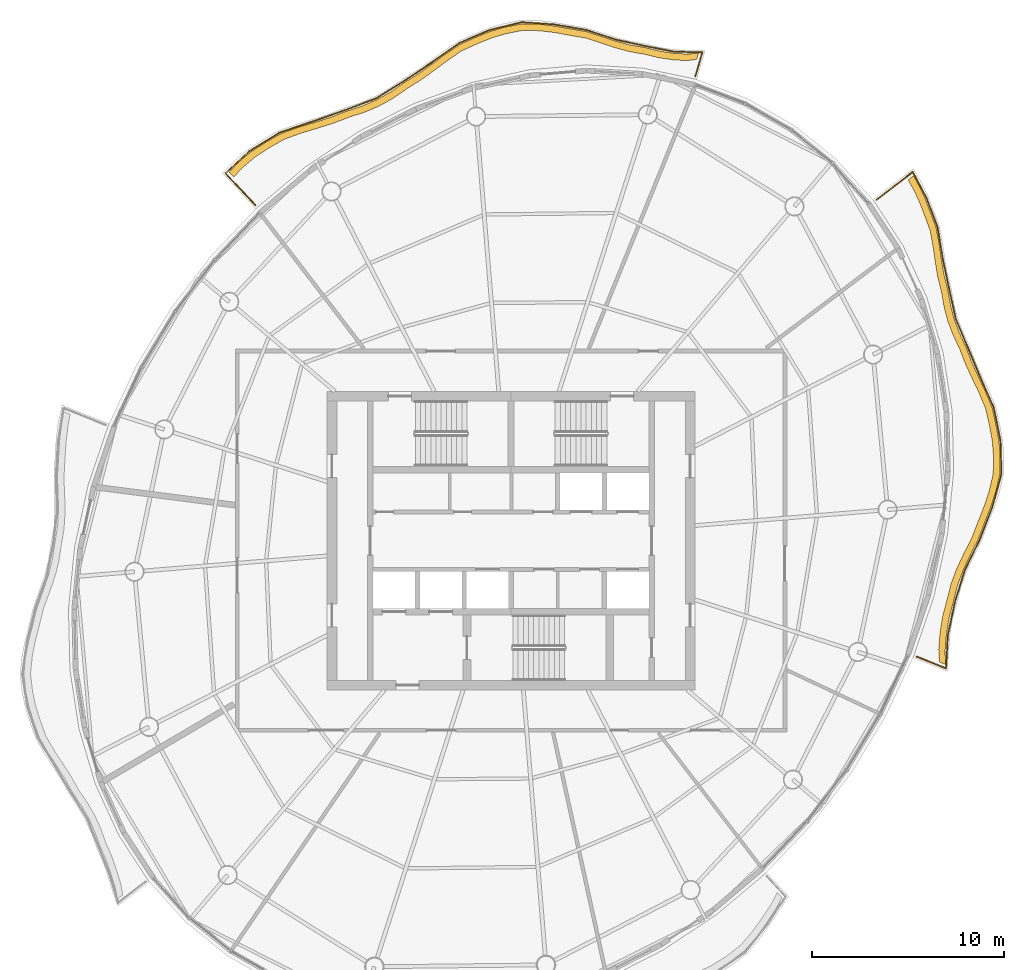
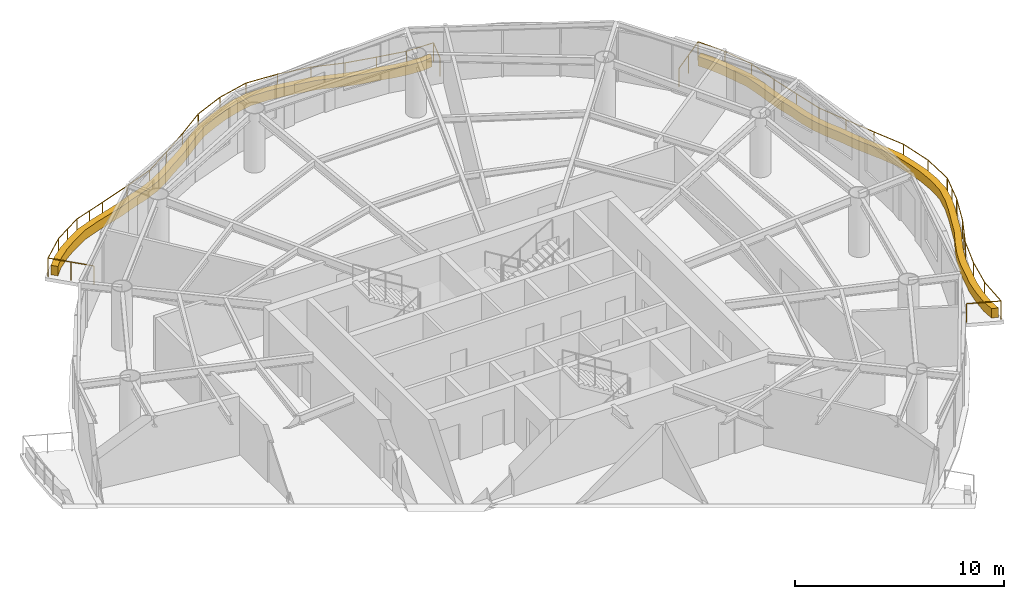
# One storey, part 14 of 14: 2 coverings, 2 railings.
"""IFC4 building model written with IfcOpenShell, lengths in metres."""

import ifcopenshell
import ifcopenshell.guid

model = None  # the IFC model being written
_history = None  # IfcOwnerHistory: only IFC2X3 demands one
_inside = {}  # id of a spatial element -> (the spatial element, [elements in it])
_under = {}  # id of a project, library or spatial element -> (it, [spatial elements below it])
_declared = {}  # id of a project -> (the project, [libraries it declares])
_typed = {}  # id of a type object -> (the type object, [elements of that type])
_made_of = {}  # id of a material, layer set ... -> (it, [elements and type objects made of it])


def new_model(schema):
    """Start an empty IFC model of exactly this schema.

    Asked for "IFC4X3", IfcOpenShell would pick the latest addendum, in which some entities
    have other attributes; the version numbers below select the first issue.
    IFC2X3 requires an IfcOwnerHistory on every rooted entity: one is made here for all.
    """
    global model, _history
    if schema == "IFC4X3":
        model = ifcopenshell.file(schema_version=(4, 3, 0, 0))
    else:
        model = ifcopenshell.file(schema=schema)
    _inside.clear()
    _under.clear()
    _declared.clear()
    _typed.clear()
    _made_of.clear()
    _history = None
    if model.schema == "IFC2X3":
        org = make("IfcOrganization", Name="unknown")
        user = make(
            "IfcPersonAndOrganization",
            ThePerson=make("IfcPerson", FamilyName="unknown"),
            TheOrganization=org,
        )
        app = make(
            "IfcApplication",
            ApplicationDeveloper=org,
            Version="unknown",
            ApplicationFullName="unknown",
            ApplicationIdentifier="unknown",
        )
        _history = make(
            "IfcOwnerHistory",
            OwningUser=user,
            OwningApplication=app,
            ChangeAction="ADDED",
            CreationDate=0,
        )
    return model


def make(cls, **values):
    """One entity of the class cls with the attributes given. An attribute that is None is left unset."""
    return model.create_entity(
        cls, **{name: value for name, value in values.items() if value is not None}
    )


def rooted(cls, **values):
    """An entity with a GlobalId (a new one), such as an element, a storey or a relation."""
    return make(cls, GlobalId=ifcopenshell.guid.new(), OwnerHistory=_history, **values)


def si_unit(unit_type, name, prefix=None):
    """IfcSIUnit, for example si_unit("LENGTHUNIT", "METRE", prefix="MILLI")."""
    return make("IfcSIUnit", UnitType=unit_type, Prefix=prefix, Name=name)


def assignment(units):
    """IfcUnitAssignment: the units of a project."""
    return None if units is None else make("IfcUnitAssignment", Units=units)


def point(xyz):
    """IfcCartesianPoint."""
    return None if xyz is None else make("IfcCartesianPoint", Coordinates=xyz)


def direction(xyz):
    """IfcDirection."""
    return None if xyz is None else make("IfcDirection", DirectionRatios=xyz)


def frame(location, z_axis=None, x_axis=None):
    """IfcAxis2Placement3D, a coordinate frame: its origin and axes. An axis left out is left unset."""
    return make(
        "IfcAxis2Placement3D",
        Location=point(location),
        Axis=direction(z_axis),
        RefDirection=direction(x_axis),
    )


def frame_2d(location, x_axis=None):
    """IfcAxis2Placement2D, a coordinate frame in the plane: its origin and x axis."""
    return make(
        "IfcAxis2Placement2D", Location=point(location), RefDirection=direction(x_axis)
    )


def origin():
    """The frame at (0, 0, 0) with its axes left unset."""
    return frame((0.0, 0.0, 0.0))


def origin_2d():
    """The frame at (0, 0) in the plane with its x axis left unset."""
    return frame_2d((0.0, 0.0))


def place(relative_to, where):
    """IfcLocalPlacement: puts the frame where relative to a parent placement (None: the world)."""
    return make(
        "IfcLocalPlacement", PlacementRelTo=relative_to, RelativePlacement=where
    )


def context(
    kind, dimensions, precision=None, world=None, true_north=None, identifier=None
):
    """IfcGeometricRepresentationContext, for example the 3D "Model" context."""
    return make(
        "IfcGeometricRepresentationContext",
        ContextIdentifier=identifier,
        ContextType=kind,
        CoordinateSpaceDimension=dimensions,
        Precision=precision,
        WorldCoordinateSystem=world,
        TrueNorth=true_north,
    )


def subcontext(parent, identifier, kind, view, scale=None):
    """IfcGeometricRepresentationSubContext, for example "Body" below "Model"."""
    return make(
        "IfcGeometricRepresentationSubContext",
        ContextIdentifier=identifier,
        ContextType=kind,
        ParentContext=parent,
        TargetScale=scale,
        TargetView=view,
    )


def project(units=None, contexts=None):
    """IfcProject with its units and contexts."""
    return rooted(
        "IfcProject",
        Name="project",
        RepresentationContexts=contexts,
        UnitsInContext=assignment(units),
    )


def spatial(cls, under=None, at=None, **own):
    """A site, building, storey or space (cls), placed at a placement, below another one or the project."""
    s = rooted(cls, ObjectPlacement=at, **own)
    if under is not None:
        _under.setdefault(under.id(), (under, []))[1].append(s)
    return s


def polyline(points):
    """IfcPolyline through the points."""
    return make("IfcPolyline", Points=[point(p) for p in points])


def profile(cls, at=None, kind="AREA", **sizes):
    """A parametric profile (cls). Its sizes go by their IFC names, for example OverallWidth=200.0."""
    return make(cls, ProfileType=kind, Position=at, **sizes)


def circle(**sizes):
    """IfcCircleProfileDef."""
    return profile("IfcCircleProfileDef", **sizes)


def outline(outer, holes=None, kind="AREA"):
    """IfcArbitraryClosedProfileDef: a profile drawn as a closed curve; with holes, ...WithVoids."""
    if holes is None:
        return make("IfcArbitraryClosedProfileDef", ProfileType=kind, OuterCurve=outer)
    return make(
        "IfcArbitraryProfileDefWithVoids",
        ProfileType=kind,
        OuterCurve=outer,
        InnerCurves=holes,
    )


def extrude(swept, where, along, depth):
    """IfcExtrudedAreaSolid: the profile swept, set in the frame where, extruded along a direction by depth."""
    return make(
        "IfcExtrudedAreaSolid",
        SweptArea=swept,
        Position=where,
        ExtrudedDirection=direction(along),
        Depth=depth,
    )


def shape(context_of_items, identifier, shape_type, items):
    """IfcShapeRepresentation: the items that make up one representation, for example the "Body"."""
    return make(
        "IfcShapeRepresentation",
        ContextOfItems=context_of_items,
        RepresentationIdentifier=identifier,
        RepresentationType=shape_type,
        Items=items,
    )


def material(Name=None, Category=None):
    """IfcMaterial."""
    return make("IfcMaterial", Name=Name, Category=Category)


def made_of(thing, what):
    """Note that an element or type object is made of a material, layer set ...; save() writes the relation."""
    if what is not None:
        _made_of.setdefault(what.id(), (what, []))[1].append(thing)
    return thing


def type_object(cls, material=None, **own):
    """A type object (cls), such as IfcWallType, which elements share."""
    return made_of(rooted(cls, **own), material)


def element(
    cls,
    number,
    at=None,
    inside=None,
    cuts=None,
    type_object=None,
    material=None,
    context=None,
    identifier="Body",
    shape_type=None,
    held_by="IfcProductDefinitionShape",
    body=None,
    shapes=None,
    **own,
):
    """One element of the class cls, such as IfcWall. Its Tag is "e" and its number.

    at: its placement. inside: the storey or other place that contains it. cuts: it is an
    opening in that element (IfcRelVoidsElement). A single representation is given by context,
    identifier, shape_type and body (its items); several are given by shapes. held_by: the class
    of the entity that holds the representations. save() writes the other relations.
    """
    e = rooted(cls, Tag="e%d" % number, ObjectPlacement=at, **own)
    if body is not None:
        shapes = [shape(context, identifier, shape_type, body)]
    if shapes is not None:
        e.Representation = make(held_by, Representations=shapes)
    if inside is not None:
        _inside.setdefault(inside.id(), (inside, []))[1].append(e)
    if cuts is not None:
        rooted(
            "IfcRelVoidsElement", RelatingBuildingElement=cuts, RelatedOpeningElement=e
        )
    if type_object is not None:
        _typed.setdefault(type_object.id(), (type_object, []))[1].append(e)
    return made_of(e, material)


def aggregate(whole, parts):
    """IfcRelAggregates: a whole, such as a stair, and the parts it consists of."""
    return rooted("IfcRelAggregates", RelatingObject=whole, RelatedObjects=parts)


def save(model, path):
    """Write the relations noted so far, then the file.

    IfcRelAggregates (storeys below a building ...), IfcRelContainedInSpatialStructure (elements
    in a storey), IfcRelDefinesByType, IfcRelAssociatesMaterial and IfcRelDeclares: one each for
    every whole, place, type object, material and project.
    """
    for whole, parts in _under.values():
        aggregate(whole, parts)
    for where, things in _inside.values():
        rooted(
            "IfcRelContainedInSpatialStructure",
            RelatedElements=things,
            RelatingStructure=where,
        )
    for kind, things in _typed.values():
        rooted("IfcRelDefinesByType", RelatedObjects=things, RelatingType=kind)
    for what, things in _made_of.values():
        rooted("IfcRelAssociatesMaterial", RelatedObjects=things, RelatingMaterial=what)
    for by, libraries in _declared.values():
        rooted("IfcRelDeclares", RelatingContext=by, RelatedDefinitions=libraries)
    model.write(path)


model = new_model("IFC4")

# Units and contexts
model_context = context("Model", 3, precision=1e-05, world=origin(), true_north=direction((0.0, 1.0)))
body_context = subcontext(model_context, "Body", "Model", "MODEL_VIEW")
ifc_project = project(units=[si_unit("LENGTHUNIT", "METRE"), si_unit("AREAUNIT", "SQUARE_METRE"), si_unit("VOLUMEUNIT", "CUBIC_METRE"), si_unit("PLANEANGLEUNIT", "RADIAN"), si_unit("MASSUNIT", "GRAM", prefix="KILO")], contexts=[model_context])

# Site, building, storey
site_placement = place(None, origin())
site = spatial("IfcSite", under=ifc_project, at=site_placement, CompositionType="ELEMENT")
building_placement = place(site_placement, origin())
building = spatial("IfcBuilding", under=site, at=building_placement, Name="Vermilion Reach Broadcast Tower", CompositionType="ELEMENT")
storey_placement = place(building_placement, frame((0.0, 0.0, 257.699951171875)))
storey = spatial("IfcBuildingStorey", under=building, at=storey_placement, Name="L63", CompositionType="ELEMENT", Elevation=257.699951171875)

# Coverings
ifc_material_1 = material(Name="Planting soil and greenery")
covering_type = type_object("IfcCoveringType", Name="Balcony PLANTER", PredefinedType="USERDEFINED", material=ifc_material_1)
placement = place(storey_placement, origin())
element("IfcCovering", 1, at=placement, inside=storey, type_object=covering_type, Name="PLANTER L63 group 1", ObjectType="PLANTER", PredefinedType="USERDEFINED", context=body_context, shape_type="SweptSolid", body=[
    extrude(outline(polyline([(3.7900390625, 25.462890625), (3.240966796875, 25.411865234375), (2.512939453125, 25.453857421875), (1.798095703125, 25.558837890625), (1.018798828125, 25.748046875), (0.208740234375, 25.887939453125), (-0.517822265625, 26.083251953125), (-1.241943359375, 26.322021484375), (-2.088623046875, 26.592041015625), (-2.983642578125, 26.742919921875), (-3.753173828125, 26.881591796875), (-4.5185546875, 26.975341796875), (-5.442626953125, 26.9931640625), (-6.364013671875, 26.81005859375), (-7.10791015625, 26.5859375), (-7.8359375, 26.291015625), (-8.681640625, 25.910400390625), (-9.4755859375, 25.376708984375), (-10.14013671875, 24.878173828125), (-10.810791015625, 24.395751953125), (-11.5654296875, 23.93017578125), (-12.30322265625, 23.42333984375), (-13.013427734375, 23.024169921875), (-13.763427734375, 22.703125), (-14.614501953125, 22.4208984375), (-15.478271484375, 22.088623046875), (-16.30419921875, 21.830078125), (-17.134765625, 21.57861328125), (-18.053955078125, 21.23974609375), (-18.905517578125, 20.751220703125), (-19.613037109375, 20.28125), (-20.261474609375, 19.740966796875), (-20.7197265625, 19.239990234375), (-20.47998046875, 18.9853515625), (-20.035888671875, 19.473388671875), (-19.387451171875, 20.013671875), (-18.679931640625, 20.483642578125), (-17.84375, 20.9599609375), (-16.940673828125, 21.287353515625), (-16.110107421875, 21.538818359375), (-15.2841796875, 21.79736328125), (-14.437744140625, 22.118896484375), (-13.6044921875, 22.39111328125), (-12.854736328125, 22.71240234375), (-12.14453125, 23.111328125), (-11.426025390625, 23.609130859375), (-10.691162109375, 24.06689453125), (-10.0205078125, 24.54931640625), (-9.35595703125, 25.0478515625), (-8.583251953125, 25.574462890625), (-7.759521484375, 25.949462890625), (-7.031494140625, 26.244384765625), (-6.28759765625, 26.468505859375), (-5.389404296875, 26.647216796875), (-4.489013671875, 26.62646484375), (-3.723388671875, 26.532958984375), (-2.953857421875, 26.394287109375), (-2.083740234375, 26.2421875), (-1.261962890625, 25.97265625), (-0.537841796875, 25.73388671875), (0.188720703125, 25.53857421875), (0.972900390625, 25.401123046875), (1.7265625, 25.21630859375), (2.44140625, 25.111328125), (3.16943359375, 25.0693359375), (3.692138671875, 25.126953125), (3.7900390625, 25.462890625)])), origin(), (0.0, 0.0, 1.0), 0.550048828125),
])
element("IfcCovering", 2, at=placement, inside=storey, type_object=covering_type, Name="PLANTER L63 group 4", ObjectType="PLANTER", PredefinedType="USERDEFINED", context=body_context, shape_type="SweptSolid", body=[
    extrude(outline(polyline([(16.694580078125, -6.465576171875), (16.6630859375, -5.7802734375), (16.7333984375, -4.91259765625), (16.86572265625, -4.06640625), (17.098388671875, -3.19140625), (17.31787109375, -2.328369140625), (17.60986328125, -1.5419921875), (17.971923828125, -0.770751953125), (18.400146484375, 0.083251953125), (18.735107421875, 0.9638671875), (19.045654296875, 1.751220703125), (19.312255859375, 2.54296875), (19.526611328125, 3.488037109375), (19.541015625, 4.43115234375), (19.476318359375, 5.224853515625), (19.33349609375, 6.0166015625), (19.124755859375, 6.94140625), (18.766845703125, 7.806640625), (18.41650390625, 8.53662109375), (18.07861328125, 9.268798828125), (17.766357421875, 10.0888671875), (17.40966796875, 10.857421875), (17.143798828125, 11.566162109375), (16.94970703125, 12.2958984375), (16.80224609375, 13.126220703125), (16.59814453125, 13.9345703125), (16.469482421875, 14.685791015625), (16.36279296875, 15.447265625), (16.19677734375, 16.34228515625), (15.886474609375, 17.175537109375), (15.623291015625, 17.865234375), (15.31396484375, 18.524658203125), (15.010986328125, 19.056396484375), (14.733642578125, 18.8427734375), (15.02099609375, 18.3330078125), (15.330322265625, 17.673583984375), (15.593505859375, 16.98388671875), (15.890380859375, 16.173095703125), (16.044677734375, 15.30126953125), (16.1513671875, 14.5400390625), (16.280029296875, 13.78857421875), (16.474609375, 13.00341796875), (16.614013671875, 12.196533203125), (16.80810546875, 11.466796875), (17.07421875, 10.75830078125), (17.4248046875, 10.012451171875), (17.732666015625, 9.215576171875), (18.070556640625, 8.483642578125), (18.421142578125, 7.75341796875), (18.776123046875, 6.91064453125), (18.983642578125, 6.008056640625), (19.126220703125, 5.21630859375), (19.191162109375, 4.422607421875), (19.1767578125, 3.5009765625), (18.964111328125, 2.5771484375), (18.697265625, 1.785400390625), (18.38671875, 0.998046875), (18.054443359375, 0.137939453125), (17.6298828125, -0.696044921875), (17.26806640625, -1.46728515625), (16.97607421875, -2.253662109375), (16.760986328125, -3.097412109375), (16.5341796875, -3.95361328125), (16.40185546875, -4.800048828125), (16.331787109375, -5.667724609375), (16.369873046875, -6.334716796875), (16.694580078125, -6.465576171875)])), origin(), (0.0, 0.0, 1.0), 0.550048828125),
])

# Railings
ifc_material_2 = material(Name="Stainless steel 316 balustrade", Category="steel")
railing_type = type_object("IfcRailingType", Name="Balcony guard 1100", PredefinedType="BALUSTRADE", material=ifc_material_2)
railing_1_placement = place(storey_placement, frame((3.625244140625, 24.256103515625, 0.0)))
element("IfcRailing", 3, at=railing_1_placement, inside=storey, type_object=railing_type, Name="Balcony guard L63 group 1", PredefinedType="BALUSTRADE", context=body_context, shape_type="SweptSolid", body=[
    extrude(circle(Radius=0.02490234375, at=origin_2d()), frame((0.0, 0.0, 1.0751953125), z_axis=(0.279732889371, 0.960077866948, 0.0), x_axis=(-0.960077866948, 0.279732889371, 0.0)), (0.0, 0.0, 1.0), 1.298583984375),
    extrude(circle(Radius=0.02490234375, at=origin_2d()), frame((0.36328125, 1.246826171875, 1.0751953125), z_axis=(-0.999798518713, 0.020072916554, 0.0), x_axis=(-0.020072916554, -0.999798518713, 0.0)), (0.0, 0.0, 1.0), 1.45947265625),
    extrude(circle(Radius=0.02490234375, at=origin_2d()), frame((-1.095947265625, 1.276123046875, 1.0751953125), z_axis=(-0.981184042676, 0.193074789648, 0.0), x_axis=(-0.193074789648, -0.981184042676, 0.0)), (0.0, 0.0, 1.0), 1.52880859375),
    extrude(circle(Radius=0.02490234375, at=origin_2d()), frame((-2.595947265625, 1.5712890625, 1.0751953125), z_axis=(-0.977134476436, 0.212622235338, 0.0), x_axis=(-0.212622235338, -0.977134476436, 0.0)), (0.0, 0.0, 1.0), 1.578857421875),
    extrude(circle(Radius=0.02490234375, at=origin_2d()), frame((-4.138671875, 1.906982421875, 1.0751953125), z_axis=(-0.951604369891, 0.307325760722, 0.0), x_axis=(-0.307325760722, -0.951604369891, 0.0)), (0.0, 0.0, 1.0), 1.65625),
    extrude(circle(Radius=0.02490234375, at=origin_2d()), frame((-5.71484375, 2.416015625, 1.0751953125), z_axis=(-0.985326758089, 0.170678586221, 0.0), x_axis=(-0.170678586221, -0.985326758089, 0.0)), (0.0, 0.0, 1.0), 1.695068359375),
    extrude(circle(Radius=0.02490234375, at=origin_2d()), frame((-7.385009765625, 2.705322265625, 1.0751953125), z_axis=(-0.997868931625, 0.065250251326, 0.0), x_axis=(-0.065250251326, -0.997868931625, 0.0)), (0.0, 0.0, 1.0), 1.69873046875),
    extrude(circle(Radius=0.02490234375, at=origin_2d()), frame((-9.080078125, 2.816162109375, 1.0751953125), z_axis=(-0.971423014106, -0.237354855997, 0.0), x_axis=(0.237354855997, -0.971423014106, 0.0)), (0.0, 0.0, 1.0), 1.7197265625),
    extrude(circle(Radius=0.02490234375, at=origin_2d()), frame((-10.750732421875, 2.407958984375, 1.0751953125), z_axis=(-0.919100910705, -0.394022227726, 0.0), x_axis=(0.394022227726, -0.919100910705, 0.0)), (0.0, 0.0, 1.0), 1.717529296875),
    extrude(circle(Radius=0.02490234375, at=origin_2d()), frame((-12.329345703125, 1.731201171875, 1.0751953125), z_axis=(-0.81671478388, -0.577041559848, 0.0), x_axis=(0.577041559848, -0.81671478388, 0.0)), (0.0, 0.0, 1.0), 1.791748046875),
    extrude(circle(Radius=0.02490234375, at=origin_2d()), frame((-13.792724609375, 0.697265625, 1.0751953125), z_axis=(-0.832946247255, -0.553353909522, 0.0), x_axis=(0.553353909522, -0.832946247255, 0.0)), (0.0, 0.0, 1.0), 1.716796875),
    extrude(circle(Radius=0.02490234375, at=origin_2d()), frame((-15.22265625, -0.252685546875, 1.0751953125), z_axis=(-0.847942246071, -0.530088622145, 0.0), x_axis=(0.530088622145, -0.847942246071, 0.0)), (0.0, 0.0, 1.0), 1.712890625),
    extrude(circle(Radius=0.02490234375, at=origin_2d()), frame((-16.675048828125, -1.16064453125, 1.0751953125), z_axis=(-0.935654923006, -0.352916229514, 0.0), x_axis=(0.352916229514, -0.935654923006, 0.0)), (0.0, 0.0, 1.0), 1.715576171875),
    extrude(circle(Radius=0.02490234375, at=origin_2d()), frame((-18.2802734375, -1.76611328125, 1.0751953125), z_axis=(-0.943771361435, -0.330598876789, 0.0), x_axis=(0.330598876789, -0.943771361435, 0.0)), (0.0, 0.0, 1.0), 1.79443359375),
    extrude(circle(Radius=0.02490234375, at=origin_2d()), frame((-19.973876953125, -2.359375, 1.0751953125), z_axis=(-0.947275733284, -0.320419545488, 0.0), x_axis=(0.320419545488, -0.947275733284, 0.0)), (0.0, 0.0, 1.0), 1.850830078125),
    extrude(circle(Radius=0.02490234375, at=origin_2d()), frame((-21.72705078125, -2.952392578125, 1.0751953125), z_axis=(-0.851758799113, -0.523934106671, 0.0), x_axis=(0.523934106671, -0.851758799113, 0.0)), (0.0, 0.0, 1.0), 1.8349609375),
    extrude(circle(Radius=0.02490234375, at=origin_2d()), frame((-23.2900390625, -3.913818359375, 1.0751953125), z_axis=(-0.732364564482, -0.68091272913, 0.0), x_axis=(0.68091272913, -0.732364564482, 0.0)), (0.0, 0.0, 1.0), 1.703369140625),
    extrude(circle(Radius=0.02490234375, at=origin_2d()), frame((-24.53759765625, -5.07373046875, 1.0751953125), z_axis=(0.685541184749, -0.728033848123, 0.0), x_axis=(0.728033848123, 0.685541184749, 0.0)), (0.0, 0.0, 1.0), 2.28662109375),
    extrude(circle(Radius=0.02490234375, at=origin_2d()), origin(), (0.0, 0.0, 1.0), 1.050048828125),
    extrude(circle(Radius=0.02490234375, at=origin_2d()), frame((0.36328125, 1.246826171875, 0.0)), (0.0, 0.0, 1.0), 1.050048828125),
    extrude(circle(Radius=0.02490234375, at=origin_2d()), frame((-1.095947265625, 1.276123046875, 0.0)), (0.0, 0.0, 1.0), 1.050048828125),
    extrude(circle(Radius=0.02490234375, at=origin_2d()), frame((-2.595947265625, 1.5712890625, 0.0)), (0.0, 0.0, 1.0), 1.050048828125),
    extrude(circle(Radius=0.02490234375, at=origin_2d()), frame((-4.138671875, 1.906982421875, 0.0)), (0.0, 0.0, 1.0), 1.050048828125),
    extrude(circle(Radius=0.02490234375, at=origin_2d()), frame((-5.71484375, 2.416015625, 0.0)), (0.0, 0.0, 1.0), 1.050048828125),
    extrude(circle(Radius=0.02490234375, at=origin_2d()), frame((-7.385009765625, 2.705322265625, 0.0)), (0.0, 0.0, 1.0), 1.050048828125),
    extrude(circle(Radius=0.02490234375, at=origin_2d()), frame((-9.080078125, 2.816162109375, 0.0)), (0.0, 0.0, 1.0), 1.050048828125),
    extrude(circle(Radius=0.02490234375, at=origin_2d()), frame((-10.750732421875, 2.407958984375, 0.0)), (0.0, 0.0, 1.0), 1.050048828125),
    extrude(circle(Radius=0.02490234375, at=origin_2d()), frame((-12.329345703125, 1.731201171875, 0.0)), (0.0, 0.0, 1.0), 1.050048828125),
    extrude(circle(Radius=0.02490234375, at=origin_2d()), frame((-13.792724609375, 0.697265625, 0.0)), (0.0, 0.0, 1.0), 1.050048828125),
    extrude(circle(Radius=0.02490234375, at=origin_2d()), frame((-15.22265625, -0.252685546875, 0.0)), (0.0, 0.0, 1.0), 1.050048828125),
    extrude(circle(Radius=0.02490234375, at=origin_2d()), frame((-16.675048828125, -1.16064453125, 0.0)), (0.0, 0.0, 1.0), 1.050048828125),
    extrude(circle(Radius=0.02490234375, at=origin_2d()), frame((-18.2802734375, -1.76611328125, 0.0)), (0.0, 0.0, 1.0), 1.050048828125),
    extrude(circle(Radius=0.02490234375, at=origin_2d()), frame((-19.973876953125, -2.359375, 0.0)), (0.0, 0.0, 1.0), 1.050048828125),
    extrude(circle(Radius=0.02490234375, at=origin_2d()), frame((-20.8505859375, -2.65576171875, 0.0)), (0.0, 0.0, 1.0), 1.050048828125),
    extrude(circle(Radius=0.02490234375, at=origin_2d()), frame((-21.72705078125, -2.952392578125, 0.0)), (0.0, 0.0, 1.0), 1.050048828125),
    extrude(circle(Radius=0.02490234375, at=origin_2d()), frame((-22.508544921875, -3.43310546875, 0.0)), (0.0, 0.0, 1.0), 1.050048828125),
    extrude(circle(Radius=0.02490234375, at=origin_2d()), frame((-23.2900390625, -3.913818359375, 0.0)), (0.0, 0.0, 1.0), 1.050048828125),
    extrude(circle(Radius=0.02490234375, at=origin_2d()), frame((-24.53759765625, -5.07373046875, 0.0)), (0.0, 0.0, 1.0), 1.050048828125),
    extrude(circle(Radius=0.02490234375, at=origin_2d()), frame((-23.75390625, -5.90625, 0.0)), (0.0, 0.0, 1.0), 1.050048828125),
    extrude(circle(Radius=0.02490234375, at=origin_2d()), frame((-22.969970703125, -6.738525390625, 0.0)), (0.0, 0.0, 1.0), 1.050048828125),
])
railing_2_placement = place(storey_placement, frame((15.1748046875, -6.047607421875, 0.0)))
element("IfcRailing", 4, at=railing_2_placement, inside=storey, type_object=railing_type, Name="Balcony guard L63 group 4", PredefinedType="BALUSTRADE", context=body_context, shape_type="SweptSolid", body=[
    extrude(circle(Radius=0.02490234375, at=origin_2d()), frame((0.0, 0.0, 1.0751953125), z_axis=(0.927701884021, -0.373321864326, 0.0), x_axis=(0.373321864326, 0.927701884021, 0.0)), (0.0, 0.0, 1.0), 1.65576171875),
    extrude(circle(Radius=0.02490234375, at=origin_2d()), frame((1.5361328125, -0.6181640625, 1.0751953125), z_axis=(0.05672828847, 0.998389654037, 0.0), x_axis=(-0.998389654037, 0.05672828847, 0.0)), (0.0, 0.0, 1.0), 1.72998046875),
    extrude(circle(Radius=0.02490234375, at=origin_2d()), frame((1.63427734375, 1.109130859375, 1.0751953125), z_axis=(0.207572425853, 0.978219652238, 0.0), x_axis=(-0.978219652238, 0.207572425853, 0.0)), (0.0, 0.0, 1.0), 1.76416015625),
    extrude(circle(Radius=0.02490234375, at=origin_2d()), frame((2.00048828125, 2.8349609375, 1.0751953125), z_axis=(0.296106489547, 0.955154933426, 0.0), x_axis=(-0.955154933426, 0.296106489547, 0.0)), (0.0, 0.0, 1.0), 1.7314453125),
    extrude(circle(Radius=0.02490234375, at=origin_2d()), frame((2.51318359375, 4.48876953125, 1.0751953125), z_axis=(0.43677933927, 0.899568679305, 0.0), x_axis=(-0.899568679305, 0.43677933927, 0.0)), (0.0, 0.0, 1.0), 1.8115234375),
    extrude(circle(Radius=0.02490234375, at=origin_2d()), frame((3.304443359375, 6.118408203125, 1.0751953125), z_axis=(0.360283493201, 0.932842861648, 0.0), x_axis=(-0.932842861648, 0.360283493201, 0.0)), (0.0, 0.0, 1.0), 1.79296875),
    extrude(circle(Radius=0.02490234375, at=origin_2d()), frame((3.950439453125, 7.791015625, 1.0751953125), z_axis=(0.266305649034, 0.963888635317, 0.0), x_axis=(-0.963888635317, 0.266305649034, 0.0)), (0.0, 0.0, 1.0), 1.806884765625),
    extrude(circle(Radius=0.02490234375, at=origin_2d()), frame((4.431640625, 9.53271484375, 1.0751953125), z_axis=(-0.028863775023, 0.999583354449, 0.0), x_axis=(-0.999583354449, -0.028863775023, 0.0)), (0.0, 0.0, 1.0), 1.742431640625),
    extrude(circle(Radius=0.02490234375, at=origin_2d()), frame((4.38134765625, 11.2744140625, 1.0751953125), z_axis=(-0.200202263477, 0.979754588506, 0.0), x_axis=(-0.979754588506, -0.200202263477, 0.0)), (0.0, 0.0, 1.0), 1.75732421875),
    extrude(circle(Radius=0.02490234375, at=origin_2d()), frame((4.029541015625, 12.99609375, 1.0751953125), z_axis=(-0.404934488045, 0.914345700702, 0.0), x_axis=(-0.914345700702, -0.404934488045, 0.0)), (0.0, 0.0, 1.0), 1.750244140625),
    extrude(circle(Radius=0.02490234375, at=origin_2d()), frame((3.32080078125, 14.596435546875, 1.0751953125), z_axis=(-0.385806130442, 0.922579877145, 0.0), x_axis=(-0.922579877145, -0.385806130442, 0.0)), (0.0, 0.0, 1.0), 1.688232421875),
    extrude(circle(Radius=0.02490234375, at=origin_2d()), frame((2.66943359375, 16.154052734375, 1.0751953125), z_axis=(-0.387846614301, 0.921723930347, 0.0), x_axis=(-0.921723930347, -0.387846614301, 0.0)), (0.0, 0.0, 1.0), 1.6083984375),
    extrude(circle(Radius=0.02490234375, at=origin_2d()), frame((2.045654296875, 17.636474609375, 1.0751953125), z_axis=(-0.214187514322, 0.976792561759, 0.0), x_axis=(-0.976792561759, -0.214187514322, 0.0)), (0.0, 0.0, 1.0), 1.6025390625),
    extrude(circle(Radius=0.02490234375, at=origin_2d()), frame((1.702392578125, 19.201904296875, 1.0751953125), z_axis=(-0.209299884495, 0.977851501175, 0.0), x_axis=(-0.977851501175, -0.209299884495, 0.0)), (0.0, 0.0, 1.0), 1.600341796875),
    extrude(circle(Radius=0.02490234375, at=origin_2d()), frame((1.367431640625, 20.766845703125, 1.0751953125), z_axis=(-0.163505703008, 0.986542388894, 0.0), x_axis=(-0.986542388894, -0.163505703008, 0.0)), (0.0, 0.0, 1.0), 1.684326171875),
    extrude(circle(Radius=0.02490234375, at=origin_2d()), frame((1.092041015625, 22.428466796875, 1.0751953125), z_axis=(-0.353072065316, 0.93559612905, 0.0), x_axis=(-0.93559612905, -0.353072065316, 0.0)), (0.0, 0.0, 1.0), 1.63330078125),
    extrude(circle(Radius=0.02490234375, at=origin_2d()), frame((0.515380859375, 23.95654296875, 1.0751953125), z_axis=(-0.46854239668, 0.883441012469, 0.0), x_axis=(-0.883441012469, -0.46854239668, 0.0)), (0.0, 0.0, 1.0), 1.524658203125),
    extrude(circle(Radius=0.02490234375, at=origin_2d()), frame((-0.198974609375, 25.303466796875, 1.0751953125), z_axis=(-0.79226657916, -0.610175112198, 0.0), x_axis=(0.610175112198, -0.79226657916, 0.0)), (0.0, 0.0, 1.0), 2.387939453125),
    extrude(circle(Radius=0.02490234375, at=origin_2d()), origin(), (0.0, 0.0, 1.0), 1.050048828125),
    extrude(circle(Radius=0.02490234375, at=origin_2d()), frame((1.5361328125, -0.6181640625, 0.0)), (0.0, 0.0, 1.0), 1.050048828125),
    extrude(circle(Radius=0.02490234375, at=origin_2d()), frame((1.63427734375, 1.109130859375, 0.0)), (0.0, 0.0, 1.0), 1.050048828125),
    extrude(circle(Radius=0.02490234375, at=origin_2d()), frame((2.00048828125, 2.8349609375, 0.0)), (0.0, 0.0, 1.0), 1.050048828125),
    extrude(circle(Radius=0.02490234375, at=origin_2d()), frame((2.51318359375, 4.48876953125, 0.0)), (0.0, 0.0, 1.0), 1.050048828125),
    extrude(circle(Radius=0.02490234375, at=origin_2d()), frame((2.90869140625, 5.3037109375, 0.0)), (0.0, 0.0, 1.0), 1.050048828125),
    extrude(circle(Radius=0.02490234375, at=origin_2d()), frame((3.304443359375, 6.118408203125, 0.0)), (0.0, 0.0, 1.0), 1.050048828125),
    extrude(circle(Radius=0.02490234375, at=origin_2d()), frame((3.950439453125, 7.791015625, 0.0)), (0.0, 0.0, 1.0), 1.050048828125),
    extrude(circle(Radius=0.02490234375, at=origin_2d()), frame((4.19091796875, 8.661865234375, 0.0)), (0.0, 0.0, 1.0), 1.050048828125),
    extrude(circle(Radius=0.02490234375, at=origin_2d()), frame((4.431640625, 9.53271484375, 0.0)), (0.0, 0.0, 1.0), 1.050048828125),
    extrude(circle(Radius=0.02490234375, at=origin_2d()), frame((4.38134765625, 11.2744140625, 0.0)), (0.0, 0.0, 1.0), 1.050048828125),
    extrude(circle(Radius=0.02490234375, at=origin_2d()), frame((4.029541015625, 12.99609375, 0.0)), (0.0, 0.0, 1.0), 1.050048828125),
    extrude(circle(Radius=0.02490234375, at=origin_2d()), frame((3.32080078125, 14.596435546875, 0.0)), (0.0, 0.0, 1.0), 1.050048828125),
    extrude(circle(Radius=0.02490234375, at=origin_2d()), frame((2.66943359375, 16.154052734375, 0.0)), (0.0, 0.0, 1.0), 1.050048828125),
    extrude(circle(Radius=0.02490234375, at=origin_2d()), frame((2.045654296875, 17.636474609375, 0.0)), (0.0, 0.0, 1.0), 1.050048828125),
    extrude(circle(Radius=0.02490234375, at=origin_2d()), frame((1.702392578125, 19.201904296875, 0.0)), (0.0, 0.0, 1.0), 1.050048828125),
    extrude(circle(Radius=0.02490234375, at=origin_2d()), frame((1.367431640625, 20.766845703125, 0.0)), (0.0, 0.0, 1.0), 1.050048828125),
    extrude(circle(Radius=0.02490234375, at=origin_2d()), frame((1.092041015625, 22.428466796875, 0.0)), (0.0, 0.0, 1.0), 1.050048828125),
    extrude(circle(Radius=0.02490234375, at=origin_2d()), frame((0.515380859375, 23.95654296875, 0.0)), (0.0, 0.0, 1.0), 1.050048828125),
    extrude(circle(Radius=0.02490234375, at=origin_2d()), frame((-0.198974609375, 25.303466796875, 0.0)), (0.0, 0.0, 1.0), 1.050048828125),
    extrude(circle(Radius=0.02490234375, at=origin_2d()), frame((-1.14501953125, 24.574951171875, 0.0)), (0.0, 0.0, 1.0), 1.050048828125),
    extrude(circle(Radius=0.02490234375, at=origin_2d()), frame((-2.0908203125, 23.846435546875, 0.0)), (0.0, 0.0, 1.0), 1.050048828125),
])

save(model, "model.ifc")
